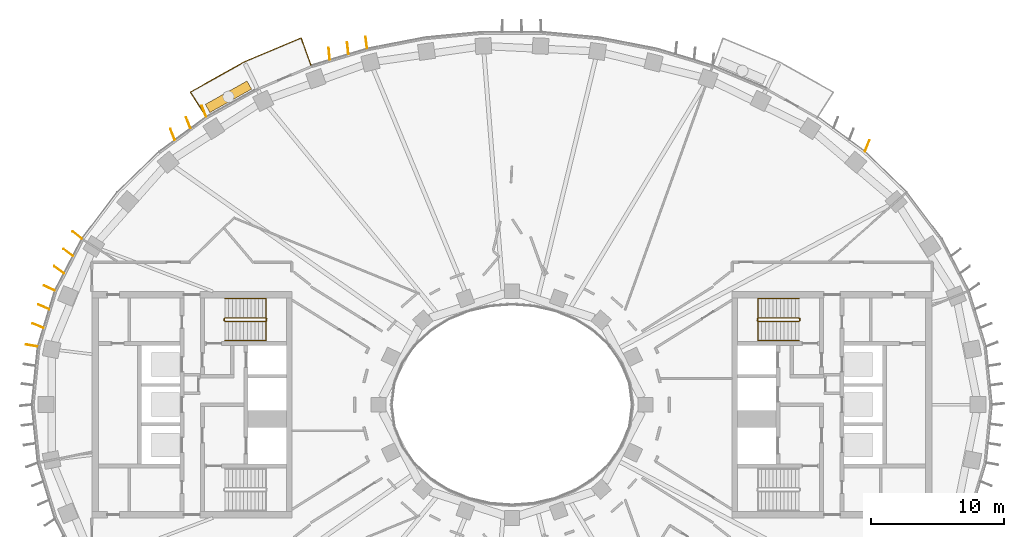
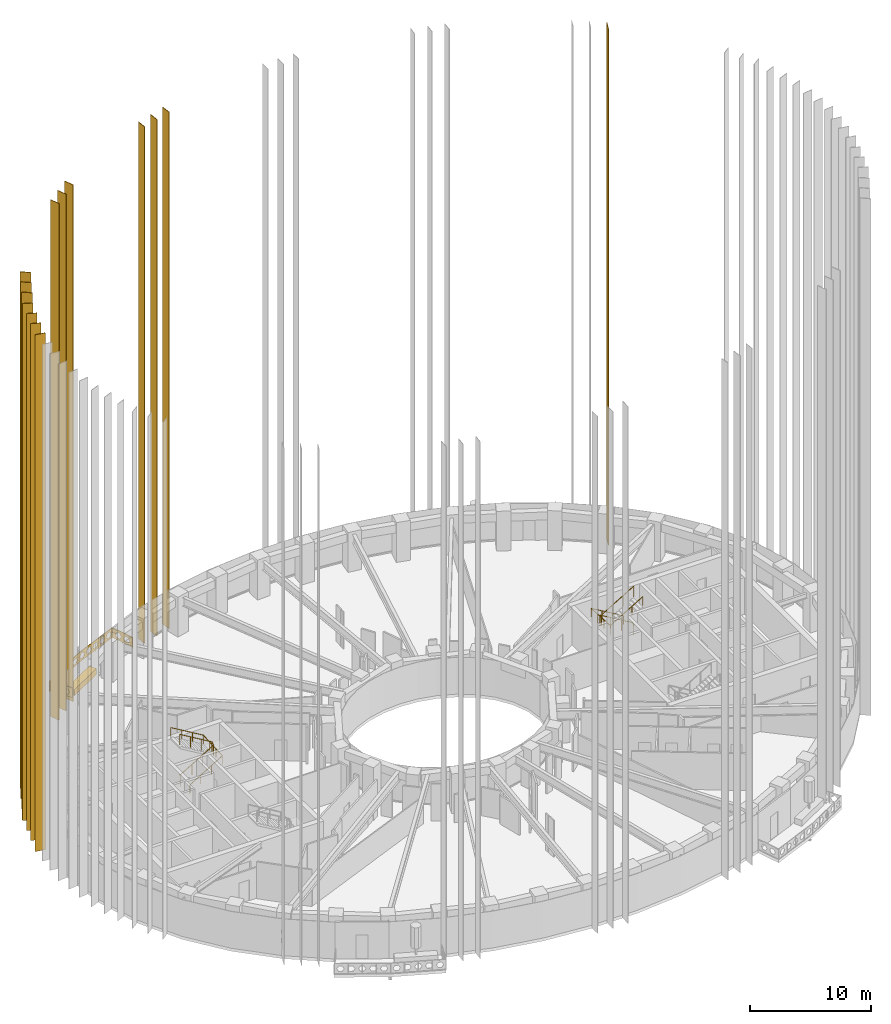
# One storey, part 16 of 19: 15 coverings, 5 railings.
"""IFC4 building model written with IfcOpenShell, lengths in metres."""

from ifc_helpers import new_model, si_unit, direction, frame, origin, origin_2d, place, context, subcontext, project, spatial, polyline, rectangle, outline, extrude, material, material_profile, profile_set, type_object, element, save


model = new_model("IFC4")

# Units and contexts
model_context = context("Model", 3, precision=1e-05, world=origin(), true_north=direction((0.0, 1.0)))
body_context = subcontext(model_context, "Body", "Model", "MODEL_VIEW")
ifc_project = project(units=[si_unit("LENGTHUNIT", "METRE"), si_unit("AREAUNIT", "SQUARE_METRE"), si_unit("VOLUMEUNIT", "CUBIC_METRE"), si_unit("PLANEANGLEUNIT", "RADIAN"), si_unit("MASSUNIT", "GRAM", prefix="KILO")], contexts=[model_context])

# Site, building, storey
site_placement = place(None, origin())
site = spatial("IfcSite", under=ifc_project, at=site_placement, CompositionType="ELEMENT")
building_placement = place(site_placement, origin())
building = spatial("IfcBuilding", under=site, at=building_placement, Name="Noorbagh Ring Tower", CompositionType="ELEMENT")
storey_placement = place(building_placement, frame((0.0, 0.0, 146.0)))
storey = spatial("IfcBuildingStorey", under=building, at=storey_placement, Name="L33", CompositionType="ELEMENT", Elevation=146.0)

# Railings
ifc_material_1 = material(Name="Stainless steel", Category="steel")
railing_type_1 = type_object("IfcRailingType", Name="CORE-STAIR-GUARD", PredefinedType="GUARDRAIL", material=ifc_material_1)
railing_1_placement = place(storey_placement, frame((-21.580078125, 6.300048828125, 0.0)))
element("IfcRailing", 1, at=railing_1_placement, inside=storey, type_object=railing_type_1, Name="L33 ST1 stair guard", PredefinedType="GUARDRAIL", context=body_context, shape_type="SweptSolid", body=[
    extrude(rectangle(XDim=0.048095703125, YDim=0.048095703125, at=origin_2d()), frame((0.0, 0.0, 1.076171875), z_axis=(0.0, 1.0, 0.0), x_axis=(-1.0, 0.0, 0.0)), (0.0, 0.0, 1.0), 0.14990234375),
    extrude(rectangle(XDim=0.048095703125, YDim=0.048095703125, at=origin_2d()), frame((0.0, 0.14990234375, 1.076171875), z_axis=(0.188775798145, -0.754182335027, 0.628945707965), x_axis=(0.970072785993, 0.242814311512, 0.0)), (0.0, 0.0, 1.0), 0.26513671875),
    extrude(rectangle(XDim=0.048095703125, YDim=0.048095703125, at=origin_2d()), frame((0.050048828125, -0.050048828125, 1.24267578125), z_axis=(0.859308565015, 0.0, 0.511457515432), x_axis=(0.0, 1.0, 0.0)), (0.0, 0.0, 1.0), 3.58447265625),
    extrude(rectangle(XDim=0.048095703125, YDim=0.048095703125, at=origin_2d()), frame((3.130126953125, -0.050048828125, 3.076171875), z_axis=(0.707106781187, 0.707106781187, 0.0), x_axis=(-0.707106781187, 0.707106781187, 0.0)), (0.0, 0.0, 1.0), 0.07080078125),
    extrude(rectangle(XDim=0.048095703125, YDim=0.048095703125, at=origin_2d()), frame((3.18017578125, 0.0, 3.076171875), z_axis=(0.0, 1.0, 0.0), x_axis=(-1.0, 0.0, 0.0)), (0.0, 0.0, 1.0), 0.14990234375),
    extrude(rectangle(XDim=0.048095703125, YDim=0.048095703125, at=origin_2d()), frame((3.18017578125, 0.14990234375, 3.076171875), z_axis=(-0.27628659633, 0.27628659633, 0.920506074601), x_axis=(-0.707106781187, -0.707106781187, 0.0)), (0.0, 0.0, 1.0), 0.18115234375),
    extrude(rectangle(XDim=0.048095703125, YDim=0.048095703125, at=origin_2d()), frame((3.130126953125, 0.199951171875, 3.24267578125), z_axis=(-0.859308565015, 0.0, 0.511457515432), x_axis=(0.0, -1.0, 0.0)), (0.0, 0.0, 1.0), 3.58447265625),
    extrude(rectangle(XDim=0.0419921875, YDim=0.0419921875, at=origin_2d()), origin(), (0.0, 0.0, 1.0), 1.052001953125),
    extrude(rectangle(XDim=0.0419921875, YDim=0.0419921875, at=origin_2d()), frame((1.07666015625, -0.050048828125, 0.77783203125)), (0.0, 0.0, 1.0), 1.052001953125),
    extrude(rectangle(XDim=0.0419921875, YDim=0.0419921875, at=origin_2d()), frame((2.103515625, -0.050048828125, 1.388916015625)), (0.0, 0.0, 1.0), 1.052001953125),
    extrude(rectangle(XDim=0.0419921875, YDim=0.0419921875, at=origin_2d()), frame((3.130126953125, -0.050048828125, 2.0)), (0.0, 0.0, 1.0), 1.052001953125),
    extrude(rectangle(XDim=0.0419921875, YDim=0.0419921875, at=origin_2d()), frame((3.130126953125, 0.199951171875, 2.166748046875)), (0.0, 0.0, 1.0), 1.052001953125),
    extrude(rectangle(XDim=0.0419921875, YDim=0.0419921875, at=origin_2d()), frame((2.103515625, 0.199951171875, 2.77783203125)), (0.0, 0.0, 1.0), 1.052001953125),
    extrude(rectangle(XDim=0.0419921875, YDim=0.0419921875, at=origin_2d()), frame((1.07666015625, 0.199951171875, 3.388916015625)), (0.0, 0.0, 1.0), 1.052001953125),
    extrude(rectangle(XDim=0.0419921875, YDim=0.0419921875, at=origin_2d()), frame((0.050048828125, 0.199951171875, 4.0)), (0.0, 0.0, 1.0), 1.052001953125),
])
railing_2_placement = place(storey_placement, frame((21.580078125, 6.449951171875, 0.0)))
element("IfcRailing", 2, at=railing_2_placement, inside=storey, type_object=railing_type_1, Name="L33 ST3 stair guard", PredefinedType="GUARDRAIL", context=body_context, shape_type="SweptSolid", body=[
    extrude(rectangle(XDim=0.048095703125, YDim=0.048095703125, at=origin_2d()), frame((0.0, 0.0, 1.076171875), z_axis=(0.0, -1.0, 0.0), x_axis=(1.0, 0.0, 0.0)), (0.0, 0.0, 1.0), 0.14990234375),
    extrude(rectangle(XDim=0.048095703125, YDim=0.048095703125, at=origin_2d()), frame((0.0, -0.14990234375, 1.076171875), z_axis=(-0.188775798145, 0.754182335027, 0.628945707965), x_axis=(-0.970072785993, -0.242814311512, 0.0)), (0.0, 0.0, 1.0), 0.26513671875),
    extrude(rectangle(XDim=0.048095703125, YDim=0.048095703125, at=origin_2d()), frame((-0.050048828125, 0.050048828125, 1.24267578125), z_axis=(-0.859308565015, 0.0, 0.511457515432), x_axis=(0.0, -1.0, 0.0)), (0.0, 0.0, 1.0), 3.58447265625),
    extrude(rectangle(XDim=0.048095703125, YDim=0.048095703125, at=origin_2d()), frame((-3.130126953125, 0.050048828125, 3.076171875), z_axis=(-0.707106781187, -0.707106781187, 0.0), x_axis=(0.707106781187, -0.707106781187, 0.0)), (0.0, 0.0, 1.0), 0.07080078125),
    extrude(rectangle(XDim=0.048095703125, YDim=0.048095703125, at=origin_2d()), frame((-3.18017578125, 0.0, 3.076171875), z_axis=(0.0, -1.0, 0.0), x_axis=(1.0, 0.0, 0.0)), (0.0, 0.0, 1.0), 0.14990234375),
    extrude(rectangle(XDim=0.048095703125, YDim=0.048095703125, at=origin_2d()), frame((-3.18017578125, -0.14990234375, 3.076171875), z_axis=(0.27628659633, -0.27628659633, 0.920506074601), x_axis=(0.707106781187, 0.707106781187, 0.0)), (0.0, 0.0, 1.0), 0.18115234375),
    extrude(rectangle(XDim=0.048095703125, YDim=0.048095703125, at=origin_2d()), frame((-3.130126953125, -0.199951171875, 3.24267578125), z_axis=(0.859308565015, 0.0, 0.511457515432), x_axis=(0.0, 1.0, 0.0)), (0.0, 0.0, 1.0), 3.58447265625),
    extrude(rectangle(XDim=0.0419921875, YDim=0.0419921875, at=origin_2d()), origin(), (0.0, 0.0, 1.0), 1.052001953125),
    extrude(rectangle(XDim=0.0419921875, YDim=0.0419921875, at=origin_2d()), frame((-1.07666015625, 0.050048828125, 0.77783203125)), (0.0, 0.0, 1.0), 1.052001953125),
    extrude(rectangle(XDim=0.0419921875, YDim=0.0419921875, at=origin_2d()), frame((-2.103515625, 0.050048828125, 1.388916015625)), (0.0, 0.0, 1.0), 1.052001953125),
    extrude(rectangle(XDim=0.0419921875, YDim=0.0419921875, at=origin_2d()), frame((-3.130126953125, 0.050048828125, 2.0)), (0.0, 0.0, 1.0), 1.052001953125),
    extrude(rectangle(XDim=0.0419921875, YDim=0.0419921875, at=origin_2d()), frame((-3.130126953125, -0.199951171875, 2.166748046875)), (0.0, 0.0, 1.0), 1.052001953125),
    extrude(rectangle(XDim=0.0419921875, YDim=0.0419921875, at=origin_2d()), frame((-2.103515625, -0.199951171875, 2.77783203125)), (0.0, 0.0, 1.0), 1.052001953125),
    extrude(rectangle(XDim=0.0419921875, YDim=0.0419921875, at=origin_2d()), frame((-1.07666015625, -0.199951171875, 3.388916015625)), (0.0, 0.0, 1.0), 1.052001953125),
    extrude(rectangle(XDim=0.0419921875, YDim=0.0419921875, at=origin_2d()), frame((-0.050048828125, -0.199951171875, 4.0)), (0.0, 0.0, 1.0), 1.052001953125),
])
ifc_material_2 = material(Name="Stainless steel", Category="steel")
railing_type_2 = type_object("IfcRailingType", Name="CORE-STAIR-HANDRAIL", PredefinedType="HANDRAIL", material=ifc_material_2)
railing_3_placement = place(storey_placement, frame((-21.530029296875, 4.800048828125, 0.166748046875)))
element("IfcRailing", 3, at=railing_3_placement, inside=storey, type_object=railing_type_2, Name="L33 ST1 stair handrail", PredefinedType="HANDRAIL", context=body_context, shape_type="SweptSolid", body=[
    extrude(rectangle(XDim=0.048095703125, YDim=0.048095703125, at=origin_2d()), frame((0.0, 0.0, 0.8759765625), z_axis=(0.859308565015, 0.0, 0.511457515432), x_axis=(0.0, 1.0, 0.0)), (0.0, 0.0, 1.0), 3.58447265625),
    extrude(rectangle(XDim=0.048095703125, YDim=0.048095703125, at=origin_2d()), frame((3.080078125, 0.0, 2.708984375), z_axis=(0.0, 0.998601747152, 0.052863509014), x_axis=(-1.0, 0.0, 0.0)), (0.0, 0.0, 1.0), 3.154296875),
    extrude(rectangle(XDim=0.048095703125, YDim=0.048095703125, at=origin_2d()), frame((3.080078125, 3.14990234375, 2.8759765625), z_axis=(-0.859308565015, 0.0, 0.511457515432), x_axis=(0.0, -1.0, 0.0)), (0.0, 0.0, 1.0), 3.58447265625),
    extrude(rectangle(XDim=0.0419921875, YDim=0.0419921875, at=origin_2d()), origin(), (0.0, 0.0, 1.0), 0.851806640625),
    extrude(rectangle(XDim=0.0419921875, YDim=0.0419921875, at=origin_2d()), frame((1.026611328125, 0.0, 0.611083984375)), (0.0, 0.0, 1.0), 0.851806640625),
    extrude(rectangle(XDim=0.0419921875, YDim=0.0419921875, at=origin_2d()), frame((2.053466796875, 0.0, 1.22216796875)), (0.0, 0.0, 1.0), 0.851806640625),
    extrude(rectangle(XDim=0.0419921875, YDim=0.0419921875, at=origin_2d()), frame((3.080078125, 0.0, 1.833251953125)), (0.0, 0.0, 1.0), 0.851806640625),
    extrude(rectangle(XDim=0.0419921875, YDim=0.0419921875, at=origin_2d()), frame((3.080078125, 1.050048828125, 1.888916015625)), (0.0, 0.0, 1.0), 0.851806640625),
    extrude(rectangle(XDim=0.0419921875, YDim=0.0419921875, at=origin_2d()), frame((3.080078125, 2.099853515625, 1.9443359375)), (0.0, 0.0, 1.0), 0.851806640625),
    extrude(rectangle(XDim=0.0419921875, YDim=0.0419921875, at=origin_2d()), frame((3.080078125, 3.14990234375, 2.0)), (0.0, 0.0, 1.0), 0.851806640625),
    extrude(rectangle(XDim=0.0419921875, YDim=0.0419921875, at=origin_2d()), frame((2.053466796875, 3.14990234375, 2.611083984375)), (0.0, 0.0, 1.0), 0.851806640625),
    extrude(rectangle(XDim=0.0419921875, YDim=0.0419921875, at=origin_2d()), frame((1.026611328125, 3.14990234375, 3.22216796875)), (0.0, 0.0, 1.0), 0.851806640625),
    extrude(rectangle(XDim=0.0419921875, YDim=0.0419921875, at=origin_2d()), frame((0.0, 3.14990234375, 3.833251953125)), (0.0, 0.0, 1.0), 0.851806640625),
])
railing_4_placement = place(storey_placement, frame((21.530029296875, 7.949951171875, 0.166748046875)))
element("IfcRailing", 4, at=railing_4_placement, inside=storey, type_object=railing_type_2, Name="L33 ST3 stair handrail", PredefinedType="HANDRAIL", context=body_context, shape_type="SweptSolid", body=[
    extrude(rectangle(XDim=0.048095703125, YDim=0.048095703125, at=origin_2d()), frame((0.0, 0.0, 0.8759765625), z_axis=(-0.859308565015, 0.0, 0.511457515432), x_axis=(0.0, -1.0, 0.0)), (0.0, 0.0, 1.0), 3.58447265625),
    extrude(rectangle(XDim=0.048095703125, YDim=0.048095703125, at=origin_2d()), frame((-3.080078125, 0.0, 2.708984375), z_axis=(0.0, -0.998601747152, 0.052863509014), x_axis=(1.0, 0.0, 0.0)), (0.0, 0.0, 1.0), 3.154296875),
    extrude(rectangle(XDim=0.048095703125, YDim=0.048095703125, at=origin_2d()), frame((-3.080078125, -3.14990234375, 2.8759765625), z_axis=(0.859308565015, 0.0, 0.511457515432), x_axis=(0.0, 1.0, 0.0)), (0.0, 0.0, 1.0), 3.58447265625),
    extrude(rectangle(XDim=0.0419921875, YDim=0.0419921875, at=origin_2d()), origin(), (0.0, 0.0, 1.0), 0.851806640625),
    extrude(rectangle(XDim=0.0419921875, YDim=0.0419921875, at=origin_2d()), frame((-1.026611328125, 0.0, 0.611083984375)), (0.0, 0.0, 1.0), 0.851806640625),
    extrude(rectangle(XDim=0.0419921875, YDim=0.0419921875, at=origin_2d()), frame((-2.053466796875, 0.0, 1.22216796875)), (0.0, 0.0, 1.0), 0.851806640625),
    extrude(rectangle(XDim=0.0419921875, YDim=0.0419921875, at=origin_2d()), frame((-3.080078125, 0.0, 1.833251953125)), (0.0, 0.0, 1.0), 0.851806640625),
    extrude(rectangle(XDim=0.0419921875, YDim=0.0419921875, at=origin_2d()), frame((-3.080078125, -1.050048828125, 1.888916015625)), (0.0, 0.0, 1.0), 0.851806640625),
    extrude(rectangle(XDim=0.0419921875, YDim=0.0419921875, at=origin_2d()), frame((-3.080078125, -2.099853515625, 1.9443359375)), (0.0, 0.0, 1.0), 0.851806640625),
    extrude(rectangle(XDim=0.0419921875, YDim=0.0419921875, at=origin_2d()), frame((-3.080078125, -3.14990234375, 2.0)), (0.0, 0.0, 1.0), 0.851806640625),
    extrude(rectangle(XDim=0.0419921875, YDim=0.0419921875, at=origin_2d()), frame((-2.053466796875, -3.14990234375, 2.611083984375)), (0.0, 0.0, 1.0), 0.851806640625),
    extrude(rectangle(XDim=0.0419921875, YDim=0.0419921875, at=origin_2d()), frame((-1.026611328125, -3.14990234375, 3.22216796875)), (0.0, 0.0, 1.0), 0.851806640625),
    extrude(rectangle(XDim=0.0419921875, YDim=0.0419921875, at=origin_2d()), frame((0.0, -3.14990234375, 3.833251953125)), (0.0, 0.0, 1.0), 0.851806640625),
])

# Coverings
ifc_material_3 = material(Name="Aluminium 6063-T6 black anodised", Category="aluminium")
ifc_material_profile = material_profile(ifc_material_3, rectangle(XDim=0.89990234375, YDim=0.050048828125, at=origin_2d()), Name="900x50")
ifc_profile_set = profile_set([ifc_material_profile], Name="Aluminium 6063-T6 black anodised")
covering_type_1 = type_object("IfcCoveringType", Name="ENV-FIN", PredefinedType="CLADDING", material=ifc_profile_set)
for number, where, z_axis, x_axis, name in (
    (5, (26.633544921875, 19.406982421875, -0.284912109375), (0.0, 0.0, 1.0), (0.36956351025, 0.929205473451, 0.0), "Fin F06 1 L33-L45"),
    (6, (-10.923583984375, 27.14501953125, -0.284912109375), (0.0, 0.0, 1.0), (-0.126759493419, 0.99193348105, 0.0), "Fin F15 1 L33-L45"),
    (7, (-12.31591796875, 26.72509765625, -0.284912109375), (0.0, 0.0, 1.0), (-0.109101232004, 0.994030643982, 0.0), "Fin F15 2 L33-L45"),
    (8, (-13.708740234375, 26.304931640625, -0.284912109375), (0.0, 0.0, 1.0), (-0.092918421481, 0.995673725148, 0.0), "Fin F15 3 L33-L45"),
    (9, (-23.100830078125, 22.00830078125, -0.284912109375), (0.0, 0.0, 1.0), (-0.365038143381, 0.930992563814, 0.0), "Fin F18 1 L33-L45"),
    (10, (-24.277587890625, 21.1416015625, -0.284912109375), (0.0, 0.0, 1.0), (-0.364533046139, 0.931190452202, 0.0), "Fin F18 2 L33-L45"),
    (11, (-25.455078125, 20.2744140625, -0.284912109375), (0.0, 0.0, 1.0), (-0.366046969104, 0.930596376745, 0.0), "Fin F18 3 L33-L45"),
    (12, (-32.612060546875, 12.71728515625, -0.284912109375), (0.0, 0.0, 1.0), (-0.782643528987, 0.622470165176, 0.0), "Fin F21 1 L33-L45"),
    (13, (-33.291748046875, 11.415771484375, -0.284912109375), (0.0, 0.0, 1.0), (-0.793137535147, 0.609042568579, 0.0), "Fin F21 2 L33-L45"),
    (14, (-33.9716796875, 10.113525390625, -0.284912109375), (0.0, 0.0, 1.0), (-0.804260303023, 0.59427717858, 0.0), "Fin F21 3 L33-L45"),
    (15, (-34.693359375, 8.738525390625, -0.284912109375), (0.0, 0.0, 1.0), (-0.907911558545, 0.419161784827, 0.0), "Fin F22 1 L33-L45"),
    (16, (-35.123291015625, 7.3330078125, -0.284912109375), (0.0, 0.0, 1.0), (-0.916474909008, 0.40009216583, 0.0), "Fin F22 2 L33-L45"),
    (17, (-35.553466796875, 5.92724609375, -0.284912109375), (0.0, 0.0, 1.0), (-0.925000661941, 0.379965492392, 0.0), "Fin F22 3 L33-L45"),
    (18, (-36.0068359375, 4.435546875, -0.284912109375), (0.0, 0.0, 1.0), (-0.985418628789, 0.170147365642, 0.0), "Fin F23 1 L33-L45"),
):
    element("IfcCovering", number, at=place(storey_placement, frame(where, z_axis=z_axis, x_axis=x_axis)), inside=storey, type_object=covering_type_1, Name=name, ObjectType="FIN", PredefinedType="CLADDING", context=body_context, shape_type="SweptSolid", body=[
        extrude(rectangle(XDim=0.89990234375, YDim=0.050048828125, at=origin_2d()), origin(), (0.0, 0.0, 1.0), 51.969970703125),
    ])

# Railing
ifc_material_4 = material(Name="Steel S275 black powder-coated", Category="steel")
railing_type_3 = type_object("IfcRailingType", Name="ENV-GUARD", PredefinedType="GUARDRAIL", material=ifc_material_4)
railing_5_placement = place(storey_placement, frame((-15.0654296875, 25.430419921875, 0.0)))
element("IfcRailing", 19, at=railing_5_placement, inside=storey, type_object=railing_type_3, Name="Balcony guard BN05", PredefinedType="GUARDRAIL", context=body_context, shape_type="SweptSolid", body=[
    extrude(rectangle(XDim=0.048095703125, YDim=0.048095703125, at=origin_2d()), frame((0.0, 0.0, 1.076171875), z_axis=(-0.338350546839, 0.941020141896, 0.0), x_axis=(-0.941020141896, -0.338350546839, 0.0)), (0.0, 0.0, 1.0), 2.202880859375),
    extrude(rectangle(XDim=0.048095703125, YDim=0.048095703125, at=origin_2d()), frame((-0.745361328125, 2.072998046875, 1.076171875), z_axis=(-0.921809087722, -0.387644174203, 0.0), x_axis=(0.387644174203, -0.921809087722, 0.0)), (0.0, 0.0, 1.0), 4.627197265625),
    extrude(rectangle(XDim=0.048095703125, YDim=0.048095703125, at=origin_2d()), frame((-5.0107421875, 0.279296875, 1.076171875), z_axis=(-0.872052247658, -0.489412788303, 0.0), x_axis=(0.489412788303, -0.872052247658, 0.0)), (0.0, 0.0, 1.0), 4.646240234375),
    extrude(rectangle(XDim=0.048095703125, YDim=0.048095703125, at=origin_2d()), frame((-9.0625, -1.99462890625, 1.076171875), z_axis=(0.542268136821, -0.840205491406, 0.0), x_axis=(0.840205491406, 0.542268136821, 0.0)), (0.0, 0.0, 1.0), 2.204345703125),
    extrude(rectangle(XDim=0.0419921875, YDim=0.0419921875, at=origin_2d()), origin(), (0.0, 0.0, 1.0), 1.052001953125),
    extrude(rectangle(XDim=0.0419921875, YDim=0.0419921875, at=origin_2d()), frame((-0.37255859375, 1.03662109375, 0.0)), (0.0, 0.0, 1.0), 1.052001953125),
    extrude(rectangle(XDim=0.0419921875, YDim=0.0419921875, at=origin_2d()), frame((-0.745361328125, 2.072998046875, 0.0)), (0.0, 0.0, 1.0), 1.052001953125),
    extrude(rectangle(XDim=0.0419921875, YDim=0.0419921875, at=origin_2d()), frame((-1.811767578125, 1.62451171875, 0.0)), (0.0, 0.0, 1.0), 1.052001953125),
    extrude(rectangle(XDim=0.0419921875, YDim=0.0419921875, at=origin_2d()), frame((-2.8779296875, 1.17626953125, 0.0)), (0.0, 0.0, 1.0), 1.052001953125),
    extrude(rectangle(XDim=0.0419921875, YDim=0.0419921875, at=origin_2d()), frame((-3.9443359375, 0.727783203125, 0.0)), (0.0, 0.0, 1.0), 1.052001953125),
    extrude(rectangle(XDim=0.0419921875, YDim=0.0419921875, at=origin_2d()), frame((-5.0107421875, 0.279296875, 0.0)), (0.0, 0.0, 1.0), 1.052001953125),
    extrude(rectangle(XDim=0.0419921875, YDim=0.0419921875, at=origin_2d()), frame((-6.023681640625, -0.2890625, 0.0)), (0.0, 0.0, 1.0), 1.052001953125),
    extrude(rectangle(XDim=0.0419921875, YDim=0.0419921875, at=origin_2d()), frame((-7.03662109375, -0.857666015625, 0.0)), (0.0, 0.0, 1.0), 1.052001953125),
    extrude(rectangle(XDim=0.0419921875, YDim=0.0419921875, at=origin_2d()), frame((-8.049560546875, -1.42626953125, 0.0)), (0.0, 0.0, 1.0), 1.052001953125),
    extrude(rectangle(XDim=0.0419921875, YDim=0.0419921875, at=origin_2d()), frame((-9.0625, -1.99462890625, 0.0)), (0.0, 0.0, 1.0), 1.052001953125),
    extrude(rectangle(XDim=0.0419921875, YDim=0.0419921875, at=origin_2d()), frame((-8.46484375, -2.920654296875, 0.0)), (0.0, 0.0, 1.0), 1.052001953125),
    extrude(rectangle(XDim=0.0419921875, YDim=0.0419921875, at=origin_2d()), frame((-7.8671875, -3.8466796875, 0.0)), (0.0, 0.0, 1.0), 1.052001953125),
    extrude(outline(polyline([(0.0, 0.10009765625), (2.202880859375, 0.10009765625), (2.202880859375, 1.031982421875), (0.0, 1.031982421875), (0.0, 0.10009765625)]), holes=[polyline([(0.96142578125, 0.56591796875), (0.806396484375, 0.83447265625), (0.49658203125, 0.83447265625), (0.341552734375, 0.56591796875), (0.49658203125, 0.297607421875), (0.806396484375, 0.297607421875), (0.96142578125, 0.56591796875)]), polyline([(1.861572265625, 0.56591796875), (1.70654296875, 0.83447265625), (1.396484375, 0.83447265625), (1.241455078125, 0.56591796875), (1.396484375, 0.297607421875), (1.70654296875, 0.297607421875), (1.861572265625, 0.56591796875)])]), frame((-0.009521484375, -0.00341796875, 0.0), z_axis=(0.941020141896, 0.338350546839, 0.0), x_axis=(-0.338350546839, 0.941020141896, 0.0)), (0.0, 0.0, 1.0), 0.02001953125),
    extrude(outline(polyline([(0.0, 0.10009765625), (4.627197265625, 0.10009765625), (4.627197265625, 1.031982421875), (0.0, 1.031982421875), (0.0, 0.10009765625)]), holes=[polyline([(0.823486328125, 0.56591796875), (0.668701171875, 0.83447265625), (0.358642578125, 0.83447265625), (0.20361328125, 0.56591796875), (0.358642578125, 0.297607421875), (0.668701171875, 0.297607421875), (0.823486328125, 0.56591796875)]), polyline([(1.7236328125, 0.56591796875), (1.568603515625, 0.83447265625), (1.258544921875, 0.83447265625), (1.103515625, 0.56591796875), (1.258544921875, 0.297607421875), (1.568603515625, 0.297607421875), (1.7236328125, 0.56591796875)]), polyline([(2.62353515625, 0.56591796875), (2.468505859375, 0.83447265625), (2.15869140625, 0.83447265625), (2.003662109375, 0.56591796875), (2.15869140625, 0.297607421875), (2.468505859375, 0.297607421875), (2.62353515625, 0.56591796875)]), polyline([(3.523681640625, 0.56591796875), (3.36865234375, 0.83447265625), (3.05859375, 0.83447265625), (2.903564453125, 0.56591796875), (3.05859375, 0.297607421875), (3.36865234375, 0.297607421875), (3.523681640625, 0.56591796875)]), polyline([(4.423583984375, 0.56591796875), (4.2685546875, 0.83447265625), (3.95849609375, 0.83447265625), (3.8037109375, 0.56591796875), (3.95849609375, 0.297607421875), (4.2685546875, 0.297607421875), (4.423583984375, 0.56591796875)])]), frame((-0.741455078125, 2.063720703125, 0.0), z_axis=(-0.387644174203, 0.921809087722, 0.0), x_axis=(-0.921809087722, -0.387644174203, 0.0)), (0.0, 0.0, 1.0), 0.02001953125),
    extrude(outline(polyline([(0.0, 0.10009765625), (4.646240234375, 0.10009765625), (4.646240234375, 1.031982421875), (0.0, 1.031982421875), (0.0, 0.10009765625)]), holes=[polyline([(0.8330078125, 0.56591796875), (0.67822265625, 0.83447265625), (0.3681640625, 0.83447265625), (0.213134765625, 0.56591796875), (0.3681640625, 0.297607421875), (0.67822265625, 0.297607421875), (0.8330078125, 0.56591796875)]), polyline([(1.733154296875, 0.56591796875), (1.578125, 0.83447265625), (1.26806640625, 0.83447265625), (1.113037109375, 0.56591796875), (1.26806640625, 0.297607421875), (1.578125, 0.297607421875), (1.733154296875, 0.56591796875)]), polyline([(2.633056640625, 0.56591796875), (2.47802734375, 0.83447265625), (2.168212890625, 0.83447265625), (2.01318359375, 0.56591796875), (2.168212890625, 0.297607421875), (2.47802734375, 0.297607421875), (2.633056640625, 0.56591796875)]), polyline([(3.533203125, 0.56591796875), (3.378173828125, 0.83447265625), (3.068115234375, 0.83447265625), (2.9130859375, 0.56591796875), (3.068115234375, 0.297607421875), (3.378173828125, 0.297607421875), (3.533203125, 0.56591796875)]), polyline([(4.43310546875, 0.56591796875), (4.278076171875, 0.83447265625), (3.968017578125, 0.83447265625), (3.813232421875, 0.56591796875), (3.968017578125, 0.297607421875), (4.278076171875, 0.297607421875), (4.43310546875, 0.56591796875)])]), frame((-5.005859375, 0.2705078125, 0.0), z_axis=(-0.489412788303, 0.872052247658, 0.0), x_axis=(-0.872052247658, -0.489412788303, 0.0)), (0.0, 0.0, 1.0), 0.02001953125),
    extrude(outline(polyline([(0.0, 0.10009765625), (2.204345703125, 0.10009765625), (2.204345703125, 1.031982421875), (0.0, 1.031982421875), (0.0, 0.10009765625)]), holes=[polyline([(0.962158203125, 0.56591796875), (0.80712890625, 0.83447265625), (0.4970703125, 0.83447265625), (0.342041015625, 0.56591796875), (0.4970703125, 0.297607421875), (0.80712890625, 0.297607421875), (0.962158203125, 0.56591796875)]), polyline([(1.862060546875, 0.56591796875), (1.70703125, 0.83447265625), (1.397216796875, 0.83447265625), (1.2421875, 0.56591796875), (1.397216796875, 0.297607421875), (1.70703125, 0.297607421875), (1.862060546875, 0.56591796875)])]), frame((-9.05419921875, -1.9892578125, 0.0), z_axis=(-0.840205491406, -0.542268136821, 0.0), x_axis=(0.542268136821, -0.840205491406, 0.0)), (0.0, 0.0, 1.0), 0.02001953125),
])

# Covering
ifc_material_5 = material(Name="Concrete C30/37 planter with soil", Category="concrete")
covering_type_2 = type_object("IfcCoveringType", Name="ENV-PLANTER", PredefinedType="CLADDING", material=ifc_material_5)
covering_placement = place(storey_placement, frame((-21.26513671875, 23.093017578125, 0.0), z_axis=(0.0, 0.0, 1.0), x_axis=(-0.872044586249, -0.48942643941, 0.0)))
element("IfcCovering", 20, at=covering_placement, inside=storey, type_object=covering_type_2, Name="PLANTER BN05", ObjectType="PLANTER", PredefinedType="CLADDING", context=body_context, shape_type="SweptSolid", body=[
    extrude(rectangle(XDim=3.58544921875, YDim=0.699951171875, at=origin_2d()), origin(), (0.0, 0.0, 1.0), 0.60009765625),
])

save(model, "model.ifc")
